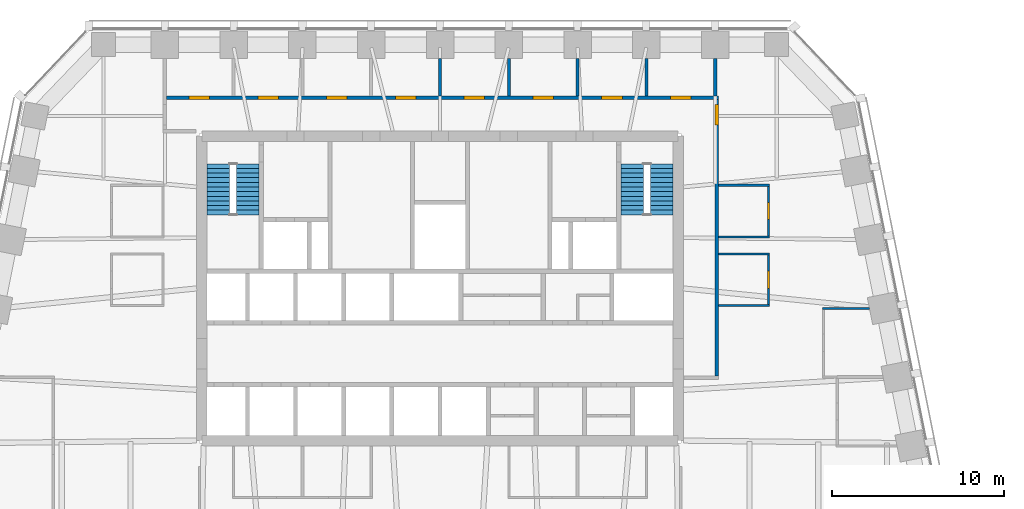
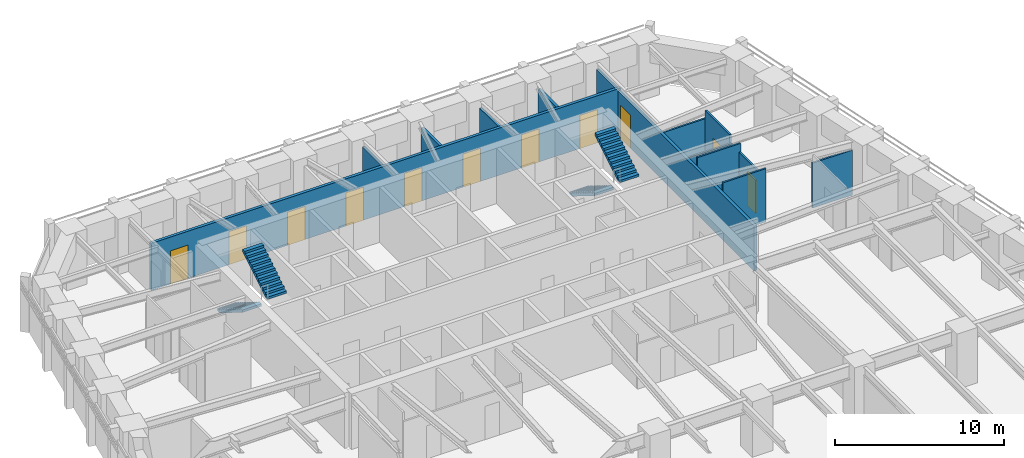
# One storey, part 8 of 10: 14 walls, 11 doors, 4 stair flights, 11 openings, 2 elements without a shape of their own.
"""IFC4 building model written with IfcOpenShell, lengths in metres."""

from ifc_helpers import new_model, si_unit, direction, frame, frame_2d, origin, place, context, subcontext, project, spatial, polyline, rectangle, outline, extrude, material, layer, layer_set, type_object, element, fill, aggregate, save


model = new_model("IFC4")

# Units and contexts
model_context = context("Model", 3, precision=1e-05, world=origin(), true_north=direction((0.0, 1.0)))
body_context = subcontext(model_context, "Body", "Model", "MODEL_VIEW")
ifc_project = project(units=[si_unit("LENGTHUNIT", "METRE"), si_unit("AREAUNIT", "SQUARE_METRE"), si_unit("VOLUMEUNIT", "CUBIC_METRE"), si_unit("PLANEANGLEUNIT", "RADIAN"), si_unit("MASSUNIT", "GRAM", prefix="KILO")], contexts=[model_context])

# Site, building, storey
site_placement = place(None, origin())
site = spatial("IfcSite", under=ifc_project, at=site_placement, CompositionType="ELEMENT")
building_placement = place(site_placement, origin())
building = spatial("IfcBuilding", under=site, at=building_placement, Name="Isbrekke Arena Tower", CompositionType="ELEMENT")
storey_placement = place(building_placement, frame((0.0, 0.0, 214.0)))
storey = spatial("IfcBuildingStorey", under=building, at=storey_placement, Name="L49", CompositionType="ELEMENT", Elevation=214.0)

# Walls
ifc_material_1 = material(Name="Frameless glazed partition, laminated acoustic glass", Category="glass")
ifc_layer_1 = layer(ifc_material_1, 0.1201171875)
ifc_layer_set_1 = layer_set([ifc_layer_1], Name="IW2 GLAZED PARTITION 120")
wall_type_1 = type_object("IfcWallType", Name="IW2 GLAZED PARTITION 120", PredefinedType="PARTITIONING", material=ifc_layer_set_1)
wall_1_placement = place(storey_placement, frame((22.239990234375, 13.840087890625, 0.0), z_axis=(0.0, 0.0, 1.0), x_axis=(1.0, 0.0, 0.0)))
element("IfcWall", 1, at=wall_1_placement, inside=storey, type_object=wall_type_1, Name="IW2 glazed partition 120 L49", PredefinedType="PARTITIONING", context=body_context, shape_type="SweptSolid", body=[
    extrude(rectangle(XDim=2.73486328125, YDim=0.1201171875, at=frame_2d((1.367431640625, 0.0))), origin(), (0.0, 0.0, 1.0), 3.25),
])
for number, where, z_axis, x_axis, name in (
    (2, (16.199951171875, 14.0, 0.0), (0.0, 0.0, 1.0), (1.0, 0.0, 0.0), "IW2 glazed partition 120 L49"),
    (3, (16.199951171875, 17.0, 0.0), (0.0, 0.0, 1.0), (1.0, 0.0, 0.0), "IW2 glazed partition 120 L49"),
):
    element("IfcWall", number, at=place(storey_placement, frame(where, z_axis=z_axis, x_axis=x_axis)), inside=storey, type_object=wall_type_1, Name=name, PredefinedType="PARTITIONING", context=body_context, shape_type="SweptSolid", body=[
        extrude(rectangle(XDim=2.9599609375, YDim=0.1201171875, at=frame_2d((1.47998046875, 0.0))), origin(), (0.0, 0.0, 1.0), 3.85009765625),
    ])
for number, where, z_axis, x_axis, name in (
    (4, (16.199951171875, 18.0, 0.0), (0.0, 0.0, 1.0), (1.0, 0.0, 0.0), "IW2 glazed partition 120 L49"),
    (5, (16.199951171875, 21.0, 0.0), (0.0, 0.0, 1.0), (1.0, 0.0, 0.0), "IW2 glazed partition 120 L49"),
):
    element("IfcWall", number, at=place(storey_placement, frame(where, z_axis=z_axis, x_axis=x_axis)), inside=storey, type_object=wall_type_1, Name=name, PredefinedType="PARTITIONING", context=body_context, shape_type="SweptSolid", body=[
        extrude(rectangle(XDim=2.9599609375, YDim=0.1201171875, at=frame_2d((1.47998046875, 0.0))), origin(), (0.0, 0.0, 1.0), 3.25),
    ])

# Wall, opening, door
wall_2_placement = place(storey_placement, frame((19.10009765625, 14.06005859375, 0.0), z_axis=(0.0, 0.0, 1.0), x_axis=(0.0, 1.0, 0.0)))
wall_2 = element("IfcWall", 6, at=wall_2_placement, inside=storey, type_object=wall_type_1, Name="IW2 glazed partition 120 L49", PredefinedType="PARTITIONING", context=body_context, shape_type="SweptSolid", body=[
    extrude(rectangle(XDim=2.8798828125, YDim=0.1201171875, at=frame_2d((1.43994140625, 0.0))), origin(), (0.0, 0.0, 1.0), 3.25),
])
opening_1_placement = place(wall_2_placement, frame((0.93994140625, 0.0, 0.0)))
opening_1 = element("IfcOpeningElement", 7, at=opening_1_placement, cuts=wall_2, Name="Opening D11", PredefinedType="OPENING", context=body_context, shape_type="SweptSolid", body=[
    extrude(rectangle(XDim=1.0, YDim=2.39990234375, at=frame_2d((0.5, 1.199951171875))), frame((0.0, 0.074951171875, 0.0), z_axis=(0.0, -1.0, 0.0), x_axis=(1.0, 0.0, 0.0)), (0.0, 0.0, 1.0), 0.14990234375),
])
ifc_material_2 = material(Name="Frameless glazed door", Category="glass")
door_type_1 = type_object("IfcDoorType", Name="D11 GLAZED MEETING ROOM DOOR 1000 x 2400", OperationType="SINGLE_SWING_RIGHT", PredefinedType="DOOR", material=ifc_material_2)
door_1_placement = place(opening_1_placement, origin())
door_1 = element("IfcDoor", 8, at=door_1_placement, inside=storey, type_object=door_type_1, Name="D11 quiet room door L49", OperationType="SINGLE_SWING_RIGHT", OverallHeight=2.39990234375, OverallWidth=1.0, PredefinedType="DOOR", context=body_context, shape_type="SweptSolid", body=[
    extrude(rectangle(XDim=1.0, YDim=2.39990234375, at=frame_2d((0.5, 1.199951171875))), frame((0.0, 0.059814453125, 0.0), z_axis=(0.0, -1.0, 0.0), x_axis=(1.0, 0.0, 0.0)), (0.0, 0.0, 1.0), 0.11962890625),
])
fill(opening_1, door_1)

wall_3_placement = place(storey_placement, frame((19.10009765625, 18.06005859375, 0.0), z_axis=(0.0, 0.0, 1.0), x_axis=(0.0, 1.0, 0.0)))
wall_3 = element("IfcWall", 9, at=wall_3_placement, inside=storey, type_object=wall_type_1, Name="IW2 glazed partition 120 L49", PredefinedType="PARTITIONING", context=body_context, shape_type="SweptSolid", body=[
    extrude(rectangle(XDim=2.8798828125, YDim=0.1201171875, at=frame_2d((1.43994140625, 0.0))), origin(), (0.0, 0.0, 1.0), 3.85009765625),
])
opening_2_placement = place(wall_3_placement, frame((0.93994140625, 0.0, 0.0)))
opening_2 = element("IfcOpeningElement", 10, at=opening_2_placement, cuts=wall_3, Name="Opening D11", PredefinedType="OPENING", context=body_context, shape_type="SweptSolid", body=[
    extrude(rectangle(XDim=1.0, YDim=2.39990234375, at=frame_2d((0.5, 1.199951171875))), frame((0.0, 0.074951171875, 0.0), z_axis=(0.0, -1.0, 0.0), x_axis=(1.0, 0.0, 0.0)), (0.0, 0.0, 1.0), 0.14990234375),
])
door_2_placement = place(opening_2_placement, origin())
door_2 = element("IfcDoor", 11, at=door_2_placement, inside=storey, type_object=door_type_1, Name="D11 quiet room door L49", OperationType="SINGLE_SWING_RIGHT", OverallHeight=2.39990234375, OverallWidth=1.0, PredefinedType="DOOR", context=body_context, shape_type="SweptSolid", body=[
    extrude(rectangle(XDim=1.0, YDim=2.39990234375, at=frame_2d((0.5, 1.199951171875))), frame((0.0, 0.059814453125, 0.0), z_axis=(0.0, -1.0, 0.0), x_axis=(1.0, 0.0, 0.0)), (0.0, 0.0, 1.0), 0.11962890625),
])
fill(opening_2, door_2)

# Wall, openings, doors
ifc_material_3 = material(Name="Gypsum board fire-cell wall on steel studs, two layers each side", Category="steel")
ifc_layer_2 = layer(ifc_material_3, 0.199951171875)
ifc_layer_set_2 = layer_set([ifc_layer_2], Name="IW3 FIRE-CELL WALL 200")
wall_type_2 = type_object("IfcWallType", Name="IW3 FIRE-CELL WALL 200", PredefinedType="PARTITIONING", material=ifc_layer_set_2)
wall_4_placement = place(storey_placement, frame((-15.89990234375, 26.10009765625, 0.0), z_axis=(0.0, 0.0, 1.0), x_axis=(1.0, 0.0, 0.0)))
wall_4 = element("IfcWall", 12, at=wall_4_placement, inside=storey, type_object=wall_type_2, Name="IW3 fire-cell wall 200 L49", PredefinedType="PARTITIONING", context=body_context, shape_type="SweptSolid", body=[
    extrude(rectangle(XDim=32.099853515625, YDim=0.199951171875, at=frame_2d((16.0498046875, 0.0))), origin(), (0.0, 0.0, 1.0), 3.39990234375),
])
opening_3_placement = place(wall_4_placement, frame((1.300048828125, 0.0, 0.0)))
opening_3 = element("IfcOpeningElement", 13, at=opening_3_placement, cuts=wall_4, Name="Opening D12", PredefinedType="OPENING", context=body_context, shape_type="SweptSolid", body=[
    extrude(rectangle(XDim=1.199951171875, YDim=2.39990234375, at=frame_2d((0.60009765625, 1.199951171875))), frame((0.0, 0.11474609375, 0.0), z_axis=(0.0, -1.0, 0.0), x_axis=(1.0, 0.0, 0.0)), (0.0, 0.0, 1.0), 0.229736328125),
])
opening_4_placement = place(wall_4_placement, frame((5.300048828125, 0.0, 0.0)))
opening_4 = element("IfcOpeningElement", 14, at=opening_4_placement, cuts=wall_4, Name="Opening D12", PredefinedType="OPENING", context=body_context, shape_type="SweptSolid", body=[
    extrude(rectangle(XDim=1.199951171875, YDim=2.39990234375, at=frame_2d((0.60009765625, 1.199951171875))), frame((0.0, 0.11474609375, 0.0), z_axis=(0.0, -1.0, 0.0), x_axis=(1.0, 0.0, 0.0)), (0.0, 0.0, 1.0), 0.229736328125),
])
opening_5_placement = place(wall_4_placement, frame((9.300048828125, 0.0, 0.0)))
opening_5 = element("IfcOpeningElement", 15, at=opening_5_placement, cuts=wall_4, Name="Opening D12", PredefinedType="OPENING", context=body_context, shape_type="SweptSolid", body=[
    extrude(rectangle(XDim=1.199951171875, YDim=2.39990234375, at=frame_2d((0.60009765625, 1.199951171875))), frame((0.0, 0.11474609375, 0.0), z_axis=(0.0, -1.0, 0.0), x_axis=(1.0, 0.0, 0.0)), (0.0, 0.0, 1.0), 0.229736328125),
])
opening_6_placement = place(wall_4_placement, frame((13.300048828125, 0.0, 0.0)))
opening_6 = element("IfcOpeningElement", 16, at=opening_6_placement, cuts=wall_4, Name="Opening D12", PredefinedType="OPENING", context=body_context, shape_type="SweptSolid", body=[
    extrude(rectangle(XDim=1.199951171875, YDim=2.39990234375, at=frame_2d((0.60009765625, 1.199951171875))), frame((0.0, 0.11474609375, 0.0), z_axis=(0.0, -1.0, 0.0), x_axis=(1.0, 0.0, 0.0)), (0.0, 0.0, 1.0), 0.229736328125),
])
opening_7_placement = place(wall_4_placement, frame((17.300048828125, 0.0, 0.0)))
opening_7 = element("IfcOpeningElement", 17, at=opening_7_placement, cuts=wall_4, Name="Opening D12", PredefinedType="OPENING", context=body_context, shape_type="SweptSolid", body=[
    extrude(rectangle(XDim=1.199951171875, YDim=2.39990234375, at=frame_2d((0.60009765625, 1.199951171875))), frame((0.0, 0.11474609375, 0.0), z_axis=(0.0, -1.0, 0.0), x_axis=(1.0, 0.0, 0.0)), (0.0, 0.0, 1.0), 0.229736328125),
])
opening_8_placement = place(wall_4_placement, frame((21.300048828125, 0.0, 0.0)))
opening_8 = element("IfcOpeningElement", 18, at=opening_8_placement, cuts=wall_4, Name="Opening D12", PredefinedType="OPENING", context=body_context, shape_type="SweptSolid", body=[
    extrude(rectangle(XDim=1.199951171875, YDim=2.39990234375, at=frame_2d((0.60009765625, 1.199951171875))), frame((0.0, 0.11474609375, 0.0), z_axis=(0.0, -1.0, 0.0), x_axis=(1.0, 0.0, 0.0)), (0.0, 0.0, 1.0), 0.229736328125),
])
opening_9_placement = place(wall_4_placement, frame((25.300048828125, 0.0, 0.0)))
opening_9 = element("IfcOpeningElement", 19, at=opening_9_placement, cuts=wall_4, Name="Opening D12", PredefinedType="OPENING", context=body_context, shape_type="SweptSolid", body=[
    extrude(rectangle(XDim=1.199951171875, YDim=2.39990234375, at=frame_2d((0.60009765625, 1.199951171875))), frame((0.0, 0.11474609375, 0.0), z_axis=(0.0, -1.0, 0.0), x_axis=(1.0, 0.0, 0.0)), (0.0, 0.0, 1.0), 0.229736328125),
])
opening_10_placement = place(wall_4_placement, frame((29.300048828125, 0.0, 0.0)))
opening_10 = element("IfcOpeningElement", 20, at=opening_10_placement, cuts=wall_4, Name="Opening D12", PredefinedType="OPENING", context=body_context, shape_type="SweptSolid", body=[
    extrude(rectangle(XDim=1.199951171875, YDim=2.39990234375, at=frame_2d((0.60009765625, 1.199951171875))), frame((0.0, 0.11474609375, 0.0), z_axis=(0.0, -1.0, 0.0), x_axis=(1.0, 0.0, 0.0)), (0.0, 0.0, 1.0), 0.229736328125),
])
ifc_material_4 = material(Name="Timber fire door with vision panel", Category="wood")
door_type_2 = type_object("IfcDoorType", Name="D12 SUITE ENTRANCE DOOR 1200 x 2400", OperationType="SINGLE_SWING_LEFT", PredefinedType="DOOR", material=ifc_material_4)
door_3_placement = place(opening_3_placement, origin())
door_3 = element("IfcDoor", 21, at=door_3_placement, inside=storey, type_object=door_type_2, Name="D12 quiet room door L49", OperationType="SINGLE_SWING_LEFT", OverallHeight=2.39990234375, OverallWidth=1.199951171875, PredefinedType="DOOR", context=body_context, shape_type="SweptSolid", body=[
    extrude(rectangle(XDim=1.199951171875, YDim=2.39990234375, at=frame_2d((0.60009765625, 1.199951171875))), frame((0.0, 0.099609375, 0.0), z_axis=(0.0, -1.0, 0.0), x_axis=(1.0, 0.0, 0.0)), (0.0, 0.0, 1.0), 0.199462890625),
])
fill(opening_3, door_3)
door_4_placement = place(opening_4_placement, origin())
door_4 = element("IfcDoor", 22, at=door_4_placement, inside=storey, type_object=door_type_2, Name="D12 meeting room door L49", OperationType="SINGLE_SWING_LEFT", OverallHeight=2.39990234375, OverallWidth=1.199951171875, PredefinedType="DOOR", context=body_context, shape_type="SweptSolid", body=[
    extrude(rectangle(XDim=1.199951171875, YDim=2.39990234375, at=frame_2d((0.60009765625, 1.199951171875))), frame((0.0, 0.099609375, 0.0), z_axis=(0.0, -1.0, 0.0), x_axis=(1.0, 0.0, 0.0)), (0.0, 0.0, 1.0), 0.199462890625),
])
fill(opening_4, door_4)
door_5_placement = place(opening_5_placement, origin())
door_5 = element("IfcDoor", 23, at=door_5_placement, inside=storey, type_object=door_type_2, Name="D12 meeting room door L49", OperationType="SINGLE_SWING_LEFT", OverallHeight=2.39990234375, OverallWidth=1.199951171875, PredefinedType="DOOR", context=body_context, shape_type="SweptSolid", body=[
    extrude(rectangle(XDim=1.199951171875, YDim=2.39990234375, at=frame_2d((0.60009765625, 1.199951171875))), frame((0.0, 0.099609375, 0.0), z_axis=(0.0, -1.0, 0.0), x_axis=(1.0, 0.0, 0.0)), (0.0, 0.0, 1.0), 0.199462890625),
])
fill(opening_5, door_5)
door_6_placement = place(opening_6_placement, origin())
door_6 = element("IfcDoor", 24, at=door_6_placement, inside=storey, type_object=door_type_2, Name="D12 meeting room door L49", OperationType="SINGLE_SWING_LEFT", OverallHeight=2.39990234375, OverallWidth=1.199951171875, PredefinedType="DOOR", context=body_context, shape_type="SweptSolid", body=[
    extrude(rectangle(XDim=1.199951171875, YDim=2.39990234375, at=frame_2d((0.60009765625, 1.199951171875))), frame((0.0, 0.099609375, 0.0), z_axis=(0.0, -1.0, 0.0), x_axis=(1.0, 0.0, 0.0)), (0.0, 0.0, 1.0), 0.199462890625),
])
fill(opening_6, door_6)
door_7_placement = place(opening_7_placement, origin())
door_7 = element("IfcDoor", 25, at=door_7_placement, inside=storey, type_object=door_type_2, Name="D12 meeting room door L49", OperationType="SINGLE_SWING_LEFT", OverallHeight=2.39990234375, OverallWidth=1.199951171875, PredefinedType="DOOR", context=body_context, shape_type="SweptSolid", body=[
    extrude(rectangle(XDim=1.199951171875, YDim=2.39990234375, at=frame_2d((0.60009765625, 1.199951171875))), frame((0.0, 0.099609375, 0.0), z_axis=(0.0, -1.0, 0.0), x_axis=(1.0, 0.0, 0.0)), (0.0, 0.0, 1.0), 0.199462890625),
])
fill(opening_7, door_7)
door_8_placement = place(opening_8_placement, origin())
door_8 = element("IfcDoor", 26, at=door_8_placement, inside=storey, type_object=door_type_2, Name="D12 meeting room door L49", OperationType="SINGLE_SWING_LEFT", OverallHeight=2.39990234375, OverallWidth=1.199951171875, PredefinedType="DOOR", context=body_context, shape_type="SweptSolid", body=[
    extrude(rectangle(XDim=1.199951171875, YDim=2.39990234375, at=frame_2d((0.60009765625, 1.199951171875))), frame((0.0, 0.099609375, 0.0), z_axis=(0.0, -1.0, 0.0), x_axis=(1.0, 0.0, 0.0)), (0.0, 0.0, 1.0), 0.199462890625),
])
fill(opening_8, door_8)
door_9_placement = place(opening_9_placement, origin())
door_9 = element("IfcDoor", 27, at=door_9_placement, inside=storey, type_object=door_type_2, Name="D12 meeting room door L49", OperationType="SINGLE_SWING_LEFT", OverallHeight=2.39990234375, OverallWidth=1.199951171875, PredefinedType="DOOR", context=body_context, shape_type="SweptSolid", body=[
    extrude(rectangle(XDim=1.199951171875, YDim=2.39990234375, at=frame_2d((0.60009765625, 1.199951171875))), frame((0.0, 0.099609375, 0.0), z_axis=(0.0, -1.0, 0.0), x_axis=(1.0, 0.0, 0.0)), (0.0, 0.0, 1.0), 0.199462890625),
])
fill(opening_9, door_9)
door_10_placement = place(opening_10_placement, origin())
door_10 = element("IfcDoor", 28, at=door_10_placement, inside=storey, type_object=door_type_2, Name="D12 quiet room door L49", OperationType="SINGLE_SWING_LEFT", OverallHeight=2.39990234375, OverallWidth=1.199951171875, PredefinedType="DOOR", context=body_context, shape_type="SweptSolid", body=[
    extrude(rectangle(XDim=1.199951171875, YDim=2.39990234375, at=frame_2d((0.60009765625, 1.199951171875))), frame((0.0, 0.099609375, 0.0), z_axis=(0.0, -1.0, 0.0), x_axis=(1.0, 0.0, 0.0)), (0.0, 0.0, 1.0), 0.199462890625),
])
fill(opening_10, door_10)

# Wall
wall_5_placement = place(storey_placement, frame((16.0, 26.199951171875, 0.0), z_axis=(0.0, 0.0, 1.0), x_axis=(0.0, 1.0, 0.0)))
element("IfcWall", 29, at=wall_5_placement, inside=storey, type_object=wall_type_2, Name="IW3 fire-cell wall 200 L49", PredefinedType="PARTITIONING", context=body_context, shape_type="SweptSolid", body=[
    extrude(rectangle(XDim=2.175048828125, YDim=0.199951171875, at=frame_2d((1.08740234375, 0.0))), origin(), (0.0, 0.0, 1.0), 3.39990234375),
])

# Wall, opening, door
wall_6_placement = place(storey_placement, frame((16.10009765625, 9.89990234375, 0.0), z_axis=(0.0, 0.0, 1.0), x_axis=(0.0, 1.0, 0.0)))
wall_6 = element("IfcWall", 30, at=wall_6_placement, inside=storey, type_object=wall_type_2, Name="IW3 fire-cell wall 200 L49", PredefinedType="PARTITIONING", context=body_context, shape_type="SweptSolid", body=[
    extrude(rectangle(XDim=16.10009765625, YDim=0.199951171875, at=frame_2d((8.050048828125, 0.0))), origin(), (0.0, 0.0, 1.0), 3.25),
])
opening_11_placement = place(wall_6_placement, frame((14.60009765625, 0.0, 0.0)))
opening_11 = element("IfcOpeningElement", 31, at=opening_11_placement, cuts=wall_6, Name="Opening D12", PredefinedType="OPENING", context=body_context, shape_type="SweptSolid", body=[
    extrude(rectangle(XDim=1.199951171875, YDim=2.39990234375, at=frame_2d((0.60009765625, 1.199951171875))), frame((0.0, 0.11474609375, 0.0), z_axis=(0.0, -1.0, 0.0), x_axis=(1.0, 0.0, 0.0)), (0.0, 0.0, 1.0), 0.229736328125),
])
door_11_placement = place(opening_11_placement, origin())
door_11 = element("IfcDoor", 32, at=door_11_placement, inside=storey, type_object=door_type_2, Name="D12 suite entrance A door L49", OperationType="SINGLE_SWING_LEFT", OverallHeight=2.39990234375, OverallWidth=1.199951171875, PredefinedType="DOOR", context=body_context, shape_type="SweptSolid", body=[
    extrude(rectangle(XDim=1.199951171875, YDim=2.39990234375, at=frame_2d((0.60009765625, 1.199951171875))), frame((0.0, 0.099609375, 0.0), z_axis=(0.0, -1.0, 0.0), x_axis=(1.0, 0.0, 0.0)), (0.0, 0.0, 1.0), 0.199462890625),
])
fill(opening_11, door_11)

# Walls
ifc_material_5 = material(Name="Gypsum board acoustic partition on twin steel studs", Category="steel")
ifc_layer_3 = layer(ifc_material_5, 0.175048828125)
ifc_layer_set_3 = layer_set([ifc_layer_3], Name="IW4 ACOUSTIC PARTITION 175")
wall_type_3 = type_object("IfcWallType", Name="IW4 ACOUSTIC PARTITION 175", PredefinedType="PARTITIONING", material=ifc_layer_set_3)
for number, where, z_axis, x_axis, name in (
    (33, (0.0, 26.199951171875, 0.0), (0.0, 0.0, 1.0), (0.0, 1.0, 0.0), "IW4 acoustic partition 175 L49"),
    (34, (4.0, 26.199951171875, 0.0), (0.0, 0.0, 1.0), (0.0, 1.0, 0.0), "IW4 acoustic partition 175 L49"),
    (35, (8.0, 26.199951171875, 0.0), (0.0, 0.0, 1.0), (0.0, 1.0, 0.0), "IW4 acoustic partition 175 L49"),
    (36, (12.0, 26.199951171875, 0.0), (0.0, 0.0, 1.0), (0.0, 1.0, 0.0), "IW4 acoustic partition 175 L49"),
):
    element("IfcWall", number, at=place(storey_placement, frame(where, z_axis=z_axis, x_axis=x_axis)), inside=storey, type_object=wall_type_3, Name=name, PredefinedType="PARTITIONING", context=body_context, shape_type="SweptSolid", body=[
        extrude(rectangle(XDim=2.175048828125, YDim=0.175048828125, at=frame_2d((1.08740234375, 0.0))), origin(), (0.0, 0.0, 1.0), 3.39990234375),
    ])

# Stair, stair flights
ifc_material_6 = material(Name="Concrete B45 (C45/55) precast", Category="concrete")
stair_type = type_object("IfcStairType", Name="ST40 STAIR 1300 WIDE, 24 RISERS 167", PredefinedType="HALF_TURN_STAIR", material=ifc_material_6)
stair_1_placement = place(storey_placement, origin())
stair_1 = element("IfcStair", 37, at=stair_1_placement, inside=storey, type_object=stair_type, Name="ST1 stair L49", PredefinedType="HALF_TURN_STAIR")
ifc_material_7 = material(Name="Concrete B45 (C45/55) precast", Category="concrete")
stair_flight_type = type_object("IfcStairFlightType", Name="SF 1300 FLIGHT", PredefinedType="STRAIGHT", material=ifc_material_7)
stair_flight_1_placement = place(storey_placement, frame((-12.89990234375, 22.25, 0.0), z_axis=(0.0, 0.0, 1.0), x_axis=(0.0, -1.0, 0.0)))
stair_flight_1 = element("IfcStairFlight", 38, at=stair_flight_1_placement, type_object=stair_flight_type, Name="ST1 flight 1", NumberOfRisers=12, NumberOfTreads=11, PredefinedType="STRAIGHT", RiserHeight=0.166666667, TreadLength=0.27, context=body_context, shape_type="SweptSolid", body=[
    extrude(outline(polyline([(0.0, 0.0), (0.0, 0.166748046875), (0.27001953125, 0.166748046875), (0.27001953125, 0.333251953125), (0.5400390625, 0.333251953125), (0.5400390625, 0.5), (0.81005859375, 0.5), (0.81005859375, 0.666748046875), (1.080078125, 0.666748046875), (1.080078125, 0.833251953125), (1.35009765625, 0.833251953125), (1.35009765625, 1.0), (1.6201171875, 1.0), (1.6201171875, 1.166748046875), (1.889892578125, 1.166748046875), (1.889892578125, 1.333251953125), (2.159912109375, 1.333251953125), (2.159912109375, 1.5), (2.429931640625, 1.5), (2.429931640625, 1.666748046875), (2.699951171875, 1.666748046875), (2.699951171875, 1.833251953125), (2.969970703125, 1.833251953125), (2.969970703125, 2.0), (2.969970703125, 1.6572265625), (0.285400390625, 0.0), (0.0, 0.0)])), frame((0.0, 0.64990234375, 0.0), z_axis=(0.0, -1.0, 0.0), x_axis=(1.0, 0.0, 0.0)), (0.0, 0.0, 1.0), 1.300048828125),
])
stair_flight_2_placement = place(storey_placement, frame((-11.175048828125, 19.280029296875, 2.0), z_axis=(0.0, 0.0, 1.0), x_axis=(0.0, 1.0, 0.0)))
stair_flight_2 = element("IfcStairFlight", 39, at=stair_flight_2_placement, type_object=stair_flight_type, Name="ST1 flight 2", NumberOfRisers=12, NumberOfTreads=11, PredefinedType="STRAIGHT", RiserHeight=0.166666667, TreadLength=0.27, context=body_context, shape_type="SweptSolid", body=[
    extrude(outline(polyline([(0.0, 0.0), (0.0, 0.166748046875), (0.27001953125, 0.166748046875), (0.27001953125, 0.333251953125), (0.5400390625, 0.333251953125), (0.5400390625, 0.5), (0.81005859375, 0.5), (0.81005859375, 0.666748046875), (1.080078125, 0.666748046875), (1.080078125, 0.833251953125), (1.35009765625, 0.833251953125), (1.35009765625, 1.0), (1.6201171875, 1.0), (1.6201171875, 1.166748046875), (1.889892578125, 1.166748046875), (1.889892578125, 1.333251953125), (2.159912109375, 1.333251953125), (2.159912109375, 1.5), (2.429931640625, 1.5), (2.429931640625, 1.666748046875), (2.699951171875, 1.666748046875), (2.699951171875, 1.833251953125), (2.969970703125, 1.833251953125), (2.969970703125, 2.0), (2.969970703125, 1.6572265625), (0.285400390625, 0.0), (0.0, 0.0)])), frame((0.0, 0.64990234375, 0.0), z_axis=(0.0, -1.0, 0.0), x_axis=(1.0, 0.0, 0.0)), (0.0, 0.0, 1.0), 1.300048828125),
])
aggregate(stair_1, [stair_flight_1, stair_flight_2])

stair_2_placement = place(storey_placement, origin())
stair_2 = element("IfcStair", 40, at=stair_2_placement, inside=storey, type_object=stair_type, Name="ST2 stair L49", PredefinedType="HALF_TURN_STAIR")
stair_flight_3_placement = place(storey_placement, frame((11.175048828125, 22.25, 0.0), z_axis=(0.0, 0.0, 1.0), x_axis=(0.0, -1.0, 0.0)))
stair_flight_3 = element("IfcStairFlight", 41, at=stair_flight_3_placement, type_object=stair_flight_type, Name="ST2 flight 1", NumberOfRisers=12, NumberOfTreads=11, PredefinedType="STRAIGHT", RiserHeight=0.166666667, TreadLength=0.27, context=body_context, shape_type="SweptSolid", body=[
    extrude(outline(polyline([(0.0, 0.0), (0.0, 0.166748046875), (0.27001953125, 0.166748046875), (0.27001953125, 0.333251953125), (0.5400390625, 0.333251953125), (0.5400390625, 0.5), (0.81005859375, 0.5), (0.81005859375, 0.666748046875), (1.080078125, 0.666748046875), (1.080078125, 0.833251953125), (1.35009765625, 0.833251953125), (1.35009765625, 1.0), (1.6201171875, 1.0), (1.6201171875, 1.166748046875), (1.889892578125, 1.166748046875), (1.889892578125, 1.333251953125), (2.159912109375, 1.333251953125), (2.159912109375, 1.5), (2.429931640625, 1.5), (2.429931640625, 1.666748046875), (2.699951171875, 1.666748046875), (2.699951171875, 1.833251953125), (2.969970703125, 1.833251953125), (2.969970703125, 2.0), (2.969970703125, 1.6572265625), (0.285400390625, 0.0), (0.0, 0.0)])), frame((0.0, 0.64990234375, 0.0), z_axis=(0.0, -1.0, 0.0), x_axis=(1.0, 0.0, 0.0)), (0.0, 0.0, 1.0), 1.300048828125),
])
stair_flight_4_placement = place(storey_placement, frame((12.89990234375, 19.280029296875, 2.0), z_axis=(0.0, 0.0, 1.0), x_axis=(0.0, 1.0, 0.0)))
stair_flight_4 = element("IfcStairFlight", 42, at=stair_flight_4_placement, type_object=stair_flight_type, Name="ST2 flight 2", NumberOfRisers=12, NumberOfTreads=11, PredefinedType="STRAIGHT", RiserHeight=0.166666667, TreadLength=0.27, context=body_context, shape_type="SweptSolid", body=[
    extrude(outline(polyline([(0.0, 0.0), (0.0, 0.166748046875), (0.27001953125, 0.166748046875), (0.27001953125, 0.333251953125), (0.5400390625, 0.333251953125), (0.5400390625, 0.5), (0.81005859375, 0.5), (0.81005859375, 0.666748046875), (1.080078125, 0.666748046875), (1.080078125, 0.833251953125), (1.35009765625, 0.833251953125), (1.35009765625, 1.0), (1.6201171875, 1.0), (1.6201171875, 1.166748046875), (1.889892578125, 1.166748046875), (1.889892578125, 1.333251953125), (2.159912109375, 1.333251953125), (2.159912109375, 1.5), (2.429931640625, 1.5), (2.429931640625, 1.666748046875), (2.699951171875, 1.666748046875), (2.699951171875, 1.833251953125), (2.969970703125, 1.833251953125), (2.969970703125, 2.0), (2.969970703125, 1.6572265625), (0.285400390625, 0.0), (0.0, 0.0)])), frame((0.0, 0.64990234375, 0.0), z_axis=(0.0, -1.0, 0.0), x_axis=(1.0, 0.0, 0.0)), (0.0, 0.0, 1.0), 1.300048828125),
])
aggregate(stair_2, [stair_flight_3, stair_flight_4])

save(model, "model.ifc")
